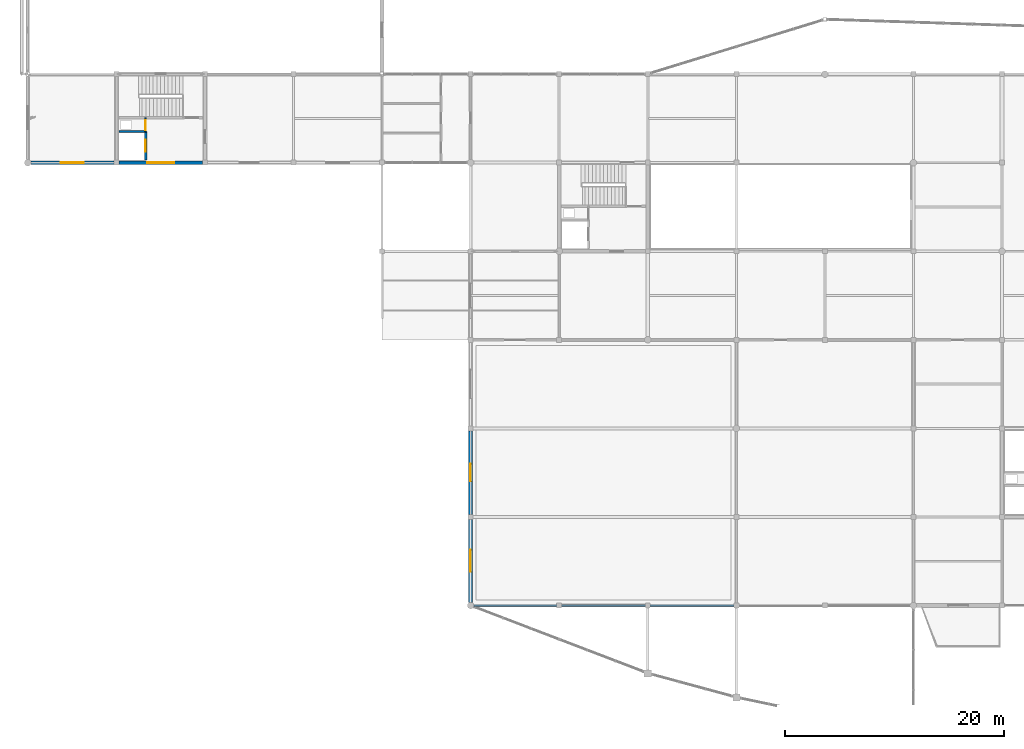
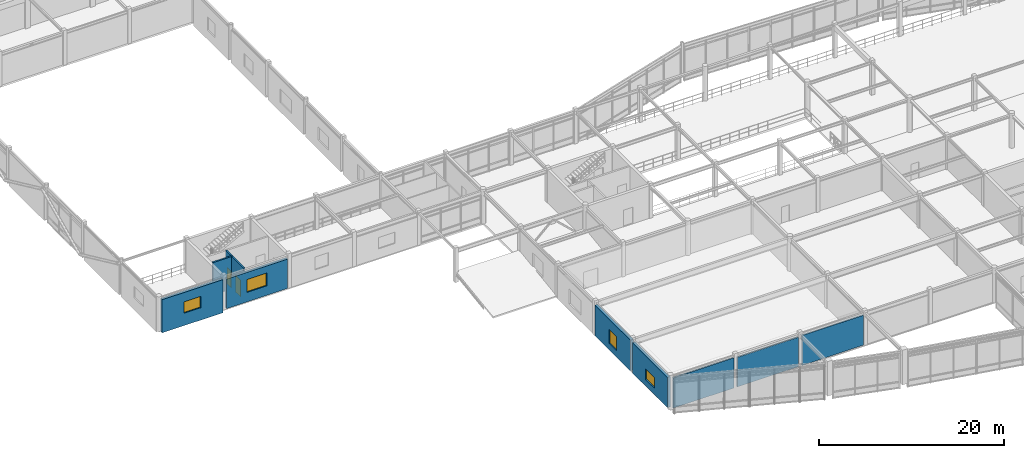
# One storey, part 62 of 93: 10 walls, 4 windows, 2 doors, 6 openings.
"""IFC4 building model written with IfcOpenShell, lengths in metres."""

from ifc_helpers import new_model, si_unit, direction, frame, frame_2d, origin, place, context, subcontext, project, spatial, rectangle, extrude, material, layer, layer_set, type_object, element, fill, save


model = new_model("IFC4")

# Units and contexts
model_context = context("Model", 3, precision=1e-05, world=origin(), true_north=direction((0.0, 1.0)))
body_context = subcontext(model_context, "Body", "Model", "MODEL_VIEW")
ifc_project = project(units=[si_unit("LENGTHUNIT", "METRE"), si_unit("AREAUNIT", "SQUARE_METRE"), si_unit("VOLUMEUNIT", "CUBIC_METRE"), si_unit("PLANEANGLEUNIT", "RADIAN"), si_unit("MASSUNIT", "GRAM", prefix="KILO")], contexts=[model_context])

# Site, building, storey
site_placement = place(None, origin())
site = spatial("IfcSite", under=ifc_project, at=site_placement, CompositionType="ELEMENT")
building_placement = place(site_placement, origin())
building = spatial("IfcBuilding", under=site, at=building_placement, Name="Vaudrelin Polytechnic", CompositionType="ELEMENT")
storey_placement = place(building_placement, frame((0.0, 0.0, 5.10009765625)))
storey = spatial("IfcBuildingStorey", under=building, at=storey_placement, Name="L01", CompositionType="ELEMENT", Elevation=5.10009765625)

# Wall, opening, window
ifc_material_1 = material(Name="Insulated precast concrete sandwich panel 40 MPa", Category="concrete")
ifc_layer_1 = layer(ifc_material_1, 0.340087890625)
ifc_layer_set_1 = layer_set([ifc_layer_1], Name="Insulated precast concrete sandwich panel 40 MPa")
wall_type_1 = type_object("IfcWallType", Name="WAL-EW-IND340", PredefinedType="STANDARD", material=ifc_layer_set_1)
wall_1_placement = place(storey_placement, frame((0.298095703125, 40.5, -0.380126953125), z_axis=(0.0, 0.0, 1.0), x_axis=(1.0, 0.0, 0.0)))
wall_1 = element("IfcWall", 1, at=wall_1_placement, inside=storey, type_object=wall_type_1, Name="Exterior wall L01 S_V1_00", PredefinedType="STANDARD", context=body_context, shape_type="SweptSolid", body=[
    extrude(rectangle(XDim=7.578857421875, YDim=0.340087890625, at=frame_2d((3.78955078125, 0.0))), origin(), (0.0, 0.0, 1.0), 4.375),
])
opening_1_placement = place(wall_1_placement, frame((2.739501953125, 0.0, 1.6298828125)))
opening_1 = element("IfcOpeningElement", 2, at=opening_1_placement, cuts=wall_1, Name="Opening W-L01-S-V1-01", PredefinedType="OPENING", context=body_context, shape_type="SweptSolid", body=[
    extrude(rectangle(XDim=2.10009765625, YDim=1.5, at=frame_2d((1.050048828125, 0.75))), frame((0.0, 0.18017578125, 0.0), z_axis=(0.0, -1.0, 0.0), x_axis=(1.0, 0.0, 0.0)), (0.0, 0.0, 1.0), 0.360107421875),
])
ifc_material_2 = material(Name="Thermally broken aluminium frame with triple low-e glazing", Category="aluminium")
window_type_1 = type_object("IfcWindowType", Name="WIN-WN-05", PartitioningType="SINGLE_PANEL", PredefinedType="WINDOW", material=ifc_material_2)
window_1_placement = place(opening_1_placement, origin())
window_1 = element("IfcWindow", 3, at=window_1_placement, inside=storey, type_object=window_type_1, Name="Facade window L01-S_V1_00", OverallHeight=1.5, OverallWidth=2.10009765625, PartitioningType="SINGLE_PANEL", PredefinedType="WINDOW", context=body_context, shape_type="SweptSolid", body=[
    extrude(rectangle(XDim=2.10009765625, YDim=1.5, at=frame_2d((1.050048828125, 0.75))), frame((0.0, 0.030029296875, 0.0), z_axis=(0.0, -1.0, 0.0), x_axis=(1.0, 0.0, 0.0)), (0.0, 0.0, 1.0), 0.06005859375),
])
fill(opening_1, window_1)

wall_2_placement = place(storey_placement, frame((8.322998046875, 40.5, 0.0), z_axis=(0.0, 0.0, 1.0), x_axis=(1.0, 0.0, 0.0)))
wall_2 = element("IfcWall", 4, at=wall_2_placement, inside=storey, type_object=wall_type_1, Name="Exterior wall L01 S_V1_01", PredefinedType="STANDARD", context=body_context, shape_type="SweptSolid", body=[
    extrude(rectangle(XDim=7.654052734375, YDim=0.340087890625, at=frame_2d((3.8271484375, 0.0))), origin(), (0.0, 0.0, 1.0), 3.886962890625),
])
opening_2_placement = place(wall_2_placement, frame((2.60205078125, 0.0, 1.25)))
opening_2 = element("IfcOpeningElement", 5, at=opening_2_placement, cuts=wall_2, Name="Opening W-L01-S-V1-02", PredefinedType="OPENING", context=body_context, shape_type="SweptSolid", body=[
    extrude(rectangle(XDim=2.449951171875, YDim=1.699951171875, at=frame_2d((1.22509765625, 0.85009765625))), frame((0.0, 0.18017578125, 0.0), z_axis=(0.0, -1.0, 0.0), x_axis=(1.0, 0.0, 0.0)), (0.0, 0.0, 1.0), 0.360107421875),
])
window_type_2 = type_object("IfcWindowType", Name="WIN-WN-38", PartitioningType="SINGLE_PANEL", PredefinedType="WINDOW", material=ifc_material_2)
window_2_placement = place(opening_2_placement, origin())
window_2 = element("IfcWindow", 6, at=window_2_placement, inside=storey, type_object=window_type_2, Name="Facade window L01-S_V1_01", OverallHeight=1.699951171875, OverallWidth=2.449951171875, PartitioningType="SINGLE_PANEL", PredefinedType="WINDOW", context=body_context, shape_type="SweptSolid", body=[
    extrude(rectangle(XDim=2.449951171875, YDim=1.699951171875, at=frame_2d((1.22509765625, 0.85009765625))), frame((0.0, 0.030029296875, 0.0), z_axis=(0.0, -1.0, 0.0), x_axis=(1.0, 0.0, 0.0)), (0.0, 0.0, 1.0), 0.06005859375),
])
fill(opening_2, window_2)

ifc_material_3 = material(Name="Architectural ribbed precast concrete 40 MPa", Category="concrete")
ifc_layer_2 = layer(ifc_material_3, 0.3798828125)
ifc_layer_set_2 = layer_set([ifc_layer_2], Name="Architectural ribbed precast concrete 40 MPa")
wall_type_2 = type_object("IfcWallType", Name="WAL-EW-PREC380", PredefinedType="STANDARD", material=ifc_layer_set_2)
wall_3_placement = place(storey_placement, frame((40.5, 0.298095703125, 0.0), z_axis=(0.0, 0.0, 1.0), x_axis=(0.0, 1.0, 0.0)))
wall_3 = element("IfcWall", 7, at=wall_3_placement, inside=storey, type_object=wall_type_2, Name="Exterior wall L01 W_V2_00", PredefinedType="STANDARD", context=body_context, shape_type="SweptSolid", body=[
    extrude(rectangle(XDim=7.578857421875, YDim=0.3798828125, at=frame_2d((3.78955078125, 0.0))), origin(), (0.0, 0.0, 1.0), 3.994873046875),
])
opening_3_placement = place(wall_3_placement, frame((2.78955078125, 0.0, 0.85009765625)))
opening_3 = element("IfcOpeningElement", 8, at=opening_3_placement, cuts=wall_3, Name="Opening W-L01-W-V2-01", PredefinedType="OPENING", context=body_context, shape_type="SweptSolid", body=[
    extrude(rectangle(XDim=2.0, YDim=1.39990234375, at=frame_2d((1.0, 0.699951171875))), frame((0.0, 0.199951171875, 0.0), z_axis=(0.0, -1.0, 0.0), x_axis=(1.0, 0.0, 0.0)), (0.0, 0.0, 1.0), 0.39990234375),
])
window_type_3 = type_object("IfcWindowType", Name="WIN-WN-10", PartitioningType="SINGLE_PANEL", PredefinedType="WINDOW", material=ifc_material_2)
window_3_placement = place(opening_3_placement, origin())
window_3 = element("IfcWindow", 9, at=window_3_placement, inside=storey, type_object=window_type_3, Name="Facade window L01-W_V2_00", OverallHeight=1.39990234375, OverallWidth=2.0, PartitioningType="SINGLE_PANEL", PredefinedType="WINDOW", context=body_context, shape_type="SweptSolid", body=[
    extrude(rectangle(XDim=2.0, YDim=1.39990234375, at=frame_2d((1.0, 0.699951171875))), frame((0.0, 0.030029296875, 0.0), z_axis=(0.0, -1.0, 0.0), x_axis=(1.0, 0.0, 0.0)), (0.0, 0.0, 1.0), 0.06005859375),
])
fill(opening_3, window_3)

wall_4_placement = place(storey_placement, frame((40.5, 8.322998046875, 0.0), z_axis=(0.0, 0.0, 1.0), x_axis=(0.0, 1.0, 0.0)))
wall_4 = element("IfcWall", 10, at=wall_4_placement, inside=storey, type_object=wall_type_2, Name="Exterior wall L01 W_V2_01", PredefinedType="STANDARD", context=body_context, shape_type="SweptSolid", body=[
    extrude(rectangle(XDim=7.654052734375, YDim=0.3798828125, at=frame_2d((3.8271484375, 0.0))), origin(), (0.0, 0.0, 1.0), 4.0458984375),
])
opening_4_placement = place(wall_4_placement, frame((3.027099609375, 0.0, 0.85009765625)))
opening_4 = element("IfcOpeningElement", 11, at=opening_4_placement, cuts=wall_4, Name="Opening W-L01-W-V2-02", PredefinedType="OPENING", context=body_context, shape_type="SweptSolid", body=[
    extrude(rectangle(XDim=1.60009765625, YDim=1.85009765625, at=frame_2d((0.800048828125, 0.925048828125))), frame((0.0, 0.199951171875, 0.0), z_axis=(0.0, -1.0, 0.0), x_axis=(1.0, 0.0, 0.0)), (0.0, 0.0, 1.0), 0.39990234375),
])
window_type_4 = type_object("IfcWindowType", Name="WIN-WN-11", PartitioningType="SINGLE_PANEL", PredefinedType="WINDOW", material=ifc_material_2)
window_4_placement = place(opening_4_placement, origin())
window_4 = element("IfcWindow", 12, at=window_4_placement, inside=storey, type_object=window_type_4, Name="Facade window L01-W_V2_01", OverallHeight=1.85009765625, OverallWidth=1.60009765625, PartitioningType="SINGLE_PANEL", PredefinedType="WINDOW", context=body_context, shape_type="SweptSolid", body=[
    extrude(rectangle(XDim=1.60009765625, YDim=1.85009765625, at=frame_2d((0.800048828125, 0.925048828125))), frame((0.0, 0.030029296875, 0.0), z_axis=(0.0, -1.0, 0.0), x_axis=(1.0, 0.0, 0.0)), (0.0, 0.0, 1.0), 0.06005859375),
])
fill(opening_4, window_4)

# Walls
ifc_material_4 = material(Name="Acoustic double-stud gypsum & mineral-wool partition", Category="gypsum")
ifc_layer_3 = layer(ifc_material_4, 0.179931640625)
ifc_layer_set_3 = layer_set([ifc_layer_3], Name="Acoustic double-stud gypsum & mineral-wool partition")
wall_type_3 = type_object("IfcWallType", Name="WAL-PW-AC180", PredefinedType="PARTITIONING", material=ifc_layer_set_3)
wall_5_placement = place(storey_placement, frame((40.798095703125, 0.0, 0.0), z_axis=(0.0, 0.0, 1.0), x_axis=(1.0, 0.0, 0.0)))
element("IfcWall", 13, at=wall_5_placement, inside=storey, type_object=wall_type_3, Name="Partition L01-007 S", PredefinedType="PARTITIONING", context=body_context, shape_type="SweptSolid", body=[
    extrude(rectangle(XDim=7.578857421875, YDim=0.179931640625, at=frame_2d((3.78955078125, 0.0))), origin(), (0.0, 0.0, 1.0), 3.994873046875),
])
wall_6_placement = place(storey_placement, frame((48.822998046875, 0.0, 0.0), z_axis=(0.0, 0.0, 1.0), x_axis=(1.0, 0.0, 0.0)))
element("IfcWall", 14, at=wall_6_placement, inside=storey, type_object=wall_type_3, Name="Partition L01-007 S", PredefinedType="PARTITIONING", context=body_context, shape_type="SweptSolid", body=[
    extrude(rectangle(XDim=7.654052734375, YDim=0.179931640625, at=frame_2d((3.8271484375, 0.0))), origin(), (0.0, 0.0, 1.0), 3.89697265625),
])
wall_7_placement = place(storey_placement, frame((56.923095703125, 0.0, 0.0), z_axis=(0.0, 0.0, 1.0), x_axis=(1.0, 0.0, 0.0)))
element("IfcWall", 15, at=wall_7_placement, inside=storey, type_object=wall_type_3, Name="Partition L01-007 S", PredefinedType="PARTITIONING", context=body_context, shape_type="SweptSolid", body=[
    extrude(rectangle(XDim=7.65380859375, YDim=0.179931640625, at=frame_2d((3.826904296875, 0.0))), origin(), (0.0, 0.0, 1.0), 3.955810546875),
])

# Wall, opening, door
ifc_material_5 = material(Name="Fire-rated steel-stud gypsum compartment wall", Category="steel")
ifc_layer_4 = layer(ifc_material_5, 0.14990234375)
ifc_layer_set_4 = layer_set([ifc_layer_4], Name="Fire-rated steel-stud gypsum compartment wall")
wall_type_4 = type_object("IfcWallType", Name="WAL-PW-FIRE60", PredefinedType="PARTITIONING", material=ifc_layer_set_4)
wall_8_placement = place(storey_placement, frame((10.780029296875, 43.35009765625, 0.0), z_axis=(0.0, 0.0, 1.0), x_axis=(0.0, 1.0, 0.0)))
wall_8 = element("IfcWall", 16, at=wall_8_placement, inside=storey, type_object=wall_type_4, Name="Core C3 riser enclosure wall L01", PredefinedType="PARTITIONING", context=body_context, shape_type="SweptSolid", body=[
    extrude(rectangle(XDim=1.260009765625, YDim=0.14990234375, at=frame_2d((0.6298828125, 0.0))), origin(), (0.0, 0.0, 1.0), 4.302001953125),
])
opening_5_placement = place(wall_8_placement, frame((0.139892578125, 0.0, 0.0)))
opening_5 = element("IfcOpeningElement", 17, at=opening_5_placement, cuts=wall_8, Name="Opening D-L01-054", PredefinedType="OPENING", context=body_context, shape_type="SweptSolid", body=[
    extrude(rectangle(XDim=0.89990234375, YDim=2.14990234375, at=frame_2d((0.449951171875, 1.074951171875))), frame((0.0, 0.0849609375, 0.0), z_axis=(0.0, -1.0, 0.0), x_axis=(1.0, 0.0, 0.0)), (0.0, 0.0, 1.0), 0.169921875),
])
ifc_material_6 = material(Name="Pressed galvanised steel acoustic leaf", Category="steel")
door_type_1 = type_object("IfcDoorType", Name="DOR-ID-RSR1", OperationType="NOTDEFINED", PredefinedType="DOOR", material=ifc_material_6)
door_1_placement = place(opening_5_placement, origin())
door_1 = element("IfcDoor", 18, at=door_1_placement, inside=storey, type_object=door_type_1, Name="Core C3 riser access door L01", OperationType="SINGLE_SWING_RIGHT", OverallHeight=2.14990234375, OverallWidth=0.89990234375, PredefinedType="DOOR", context=body_context, shape_type="SweptSolid", body=[
    extrude(rectangle(XDim=0.89990234375, YDim=2.14990234375, at=frame_2d((0.449951171875, 1.074951171875))), frame((0.0, 0.02490234375, 0.0), z_axis=(0.0, -1.0, 0.0), x_axis=(1.0, 0.0, 0.0)), (0.0, 0.0, 1.0), 0.050048828125),
])
fill(opening_5, door_1)

ifc_material_7 = material(Name="Concrete 40 MPa", Category="concrete")
ifc_layer_5 = layer(ifc_material_7, 0.199951171875)
ifc_layer_set_5 = layer_set([ifc_layer_5], Name="Concrete 40 MPa")
wall_type_5 = type_object("IfcWallType", Name="WAL-SW-CORE200", PredefinedType="SHEAR", material=ifc_layer_set_5)
wall_9_placement = place(storey_placement, frame((10.780029296875, 40.75, 0.0), z_axis=(0.0, 0.0, 1.0), x_axis=(0.0, 1.0, 0.0)))
wall_9 = element("IfcWall", 19, at=wall_9_placement, inside=storey, type_object=wall_type_5, Name="Lift LF-03 shaft front wall L01", PredefinedType="SHEAR", context=body_context, shape_type="SweptSolid", body=[
    extrude(rectangle(XDim=2.60009765625, YDim=0.199951171875, at=frame_2d((1.300048828125, 0.0))), origin(), (0.0, 0.0, 1.0), 4.302001953125),
])
opening_6_placement = place(wall_9_placement, frame((0.75, 0.0, 0.0)))
opening_6 = element("IfcOpeningElement", 20, at=opening_6_placement, cuts=wall_9, Name="Opening LD-LF-03-L01", PredefinedType="OPENING", context=body_context, shape_type="SweptSolid", body=[
    extrude(rectangle(XDim=1.10009765625, YDim=2.199951171875, at=frame_2d((0.550048828125, 1.10009765625))), frame((0.0, 0.10986328125, 0.0), z_axis=(0.0, -1.0, 0.0), x_axis=(1.0, 0.0, 0.0)), (0.0, 0.0, 1.0), 0.219970703125),
])
ifc_material_8 = material(Name="Brushed stainless steel AISI 304", Category="steel")
door_type_2 = type_object("IfcDoorType", Name="DOR-LD-PAX", OperationType="SLIDING_TO_LEFT", PredefinedType="DOOR", material=ifc_material_8)
door_2_placement = place(opening_6_placement, origin())
door_2 = element("IfcDoor", 21, at=door_2_placement, inside=storey, type_object=door_type_2, Name="Lift LF-03 landing door L01", OperationType="SLIDING_TO_LEFT", OverallHeight=2.199951171875, OverallWidth=1.10009765625, PredefinedType="DOOR", context=body_context, shape_type="SweptSolid", body=[
    extrude(rectangle(XDim=1.10009765625, YDim=2.199951171875, at=frame_2d((0.550048828125, 1.10009765625))), frame((0.0, 0.02490234375, 0.0), z_axis=(0.0, -1.0, 0.0), x_axis=(1.0, 0.0, 0.0)), (0.0, 0.0, 1.0), 0.050048828125),
])
fill(opening_6, door_2)

# Wall
wall_10_placement = place(storey_placement, frame((8.320068359375, 43.35009765625, 0.0), z_axis=(0.0, 0.0, 1.0), x_axis=(1.0, 0.0, 0.0)))
element("IfcWall", 22, at=wall_10_placement, inside=storey, type_object=wall_type_5, Name="Lift LF-03 shaft north wall L01", PredefinedType="SHEAR", context=body_context, shape_type="SweptSolid", body=[
    extrude(rectangle(XDim=2.559814453125, YDim=0.199951171875, at=frame_2d((1.27978515625, 0.0))), origin(), (0.0, 0.0, 1.0), 4.302001953125),
])

save(model, "model.ifc")
